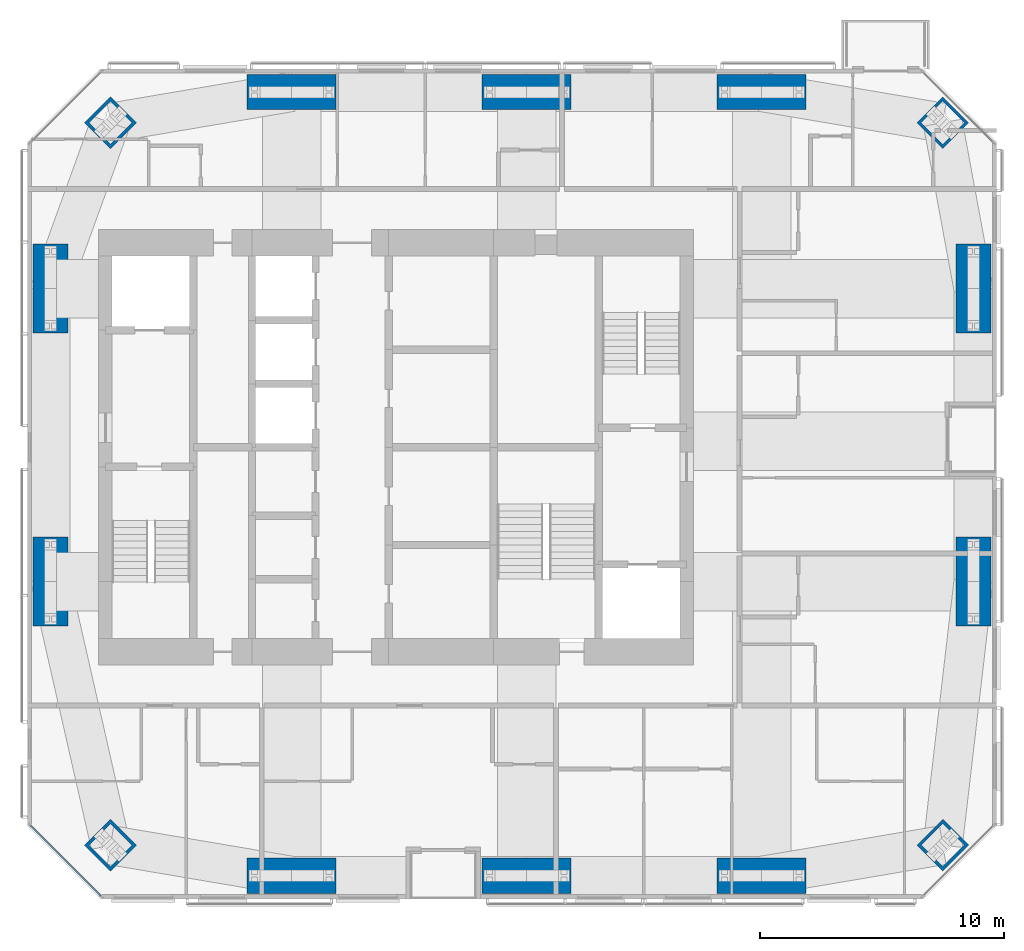
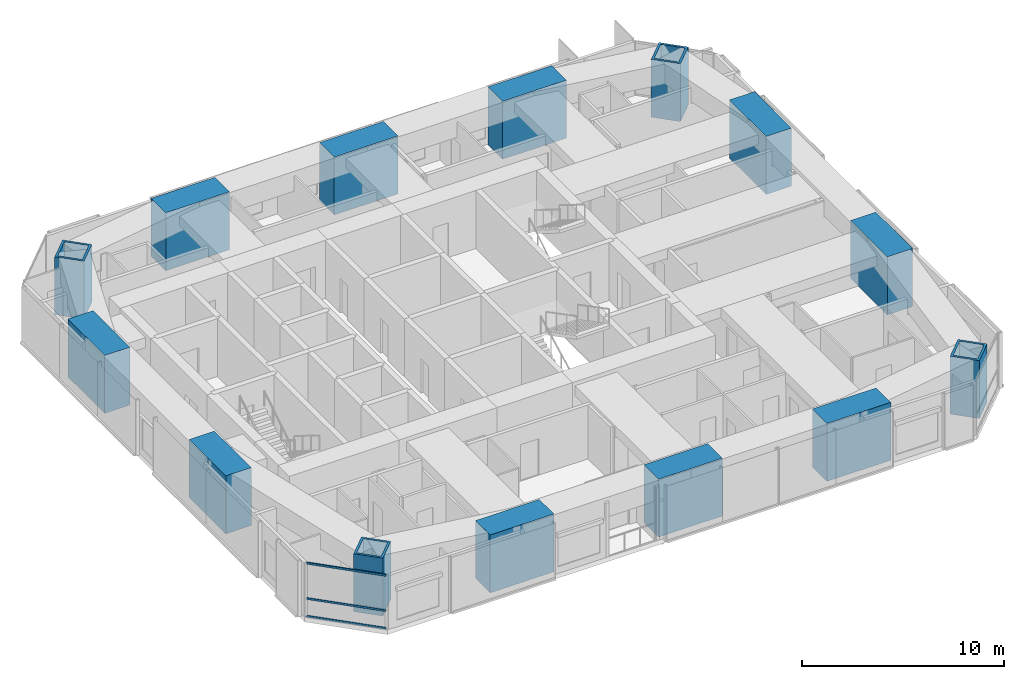
# One storey, part 1 of 19: 14 columns, 3 members, 1 element without a shape of its own.
"""IFC4 building model written with IfcOpenShell, lengths in metres."""

from ifc_helpers import new_model, si_unit, direction, frame, origin, origin_2d, place, context, subcontext, project, spatial, rectangle, hollow_rectangle, extrude, material, material_profile, profile_set, type_object, element, aggregate, save


model = new_model("IFC4")

# Units and contexts
model_context = context("Model", 3, precision=1e-05, world=origin(), true_north=direction((0.0, 1.0)))
body_context = subcontext(model_context, "Body", "Model", "MODEL_VIEW")
ifc_project = project(units=[si_unit("LENGTHUNIT", "METRE"), si_unit("AREAUNIT", "SQUARE_METRE"), si_unit("VOLUMEUNIT", "CUBIC_METRE"), si_unit("PLANEANGLEUNIT", "RADIAN"), si_unit("MASSUNIT", "GRAM", prefix="KILO")], contexts=[model_context])

# Site, building, storey
site_placement = place(None, origin())
site = spatial("IfcSite", under=ifc_project, at=site_placement, CompositionType="ELEMENT")
building_placement = place(site_placement, origin())
building = spatial("IfcBuilding", under=site, at=building_placement, Name="Jalousie Tower", CompositionType="ELEMENT")
storey_placement = place(building_placement, frame((0.0, 0.0, 217.949951171875)))
storey = spatial("IfcBuildingStorey", under=building, at=storey_placement, Name="L59", CompositionType="ELEMENT", Elevation=217.949951171875)

# Columns
ifc_material_1 = material(Name="Steel EN 10025-2 S355J2 plate", Category="steel")
ifc_material_profile_1 = material_profile(ifc_material_1, hollow_rectangle(XDim=1.5, YDim=1.5, WallThickness=0.125, at=origin_2d()), Name="BOX 1500x1500x125")
ifc_profile_set_1 = profile_set([ifc_material_profile_1], Name="Steel EN 10025-2 S355J2 plate")
column_type_1 = type_object("IfcColumnType", Name="BUILT-UP BOX CORNER COLUMN BOX 1500x1500x125", PredefinedType="COLUMN", material=ifc_profile_set_1)
for number, where, z_axis, x_axis, name in (
    (1, (20.20703125, 2.20703125, 0.0), (0.0, 0.0, 1.0), (0.707106781187, 0.707106781187, 0.0), "Corner column 01 L59"),
    (2, (54.29296875, 2.20703125, 0.0), (0.0, 0.0, 1.0), (-0.707106781187, 0.707106781187, 0.0), "Corner column 05 L59"),
    (3, (54.29296875, 31.79296875, 0.0), (0.0, 0.0, 1.0), (-0.707106781187, -0.707106781187, 0.0), "Corner column 08 L59"),
    (4, (20.20703125, 31.79296875, 0.0), (0.0, 0.0, 1.0), (0.707106781187, -0.707106781187, 0.0), "Corner column 12 L59"),
):
    element("IfcColumn", number, at=place(storey_placement, frame(where, z_axis=z_axis, x_axis=x_axis)), inside=storey, type_object=column_type_1, Name=name, PredefinedType="COLUMN", context=body_context, shape_type="SweptSolid", body=[
        extrude(hollow_rectangle(XDim=1.5, YDim=1.5, WallThickness=0.125, at=origin_2d()), origin(), (0.0, 0.0, 1.0), 3.5),
    ])
ifc_material_2 = material(Name="Concrete f'c 120 MPa", Category="concrete")
ifc_material_profile_2 = material_profile(ifc_material_2, rectangle(XDim=1.449951171875, YDim=3.64990234375, at=origin_2d()), Name="RC 1450x3650")
ifc_profile_set_2 = profile_set([ifc_material_profile_2], Name="Concrete f'c 120 MPa")
column_type_2 = type_object("IfcColumnType", Name="RC COLUMN 1450x3650", PredefinedType="COLUMN", material=ifc_profile_set_2)
for number, where, z_axis, x_axis, name in (
    (5, (27.625, 0.949951171875, 0.0), (0.0, 0.0, 1.0), (0.0, 1.0, 0.0), "Column 02 L59"),
    (6, (37.25, 0.949951171875, 0.0), (0.0, 0.0, 1.0), (0.0, 1.0, 0.0), "Column 03 L59"),
    (7, (46.875, 0.949951171875, 0.0), (0.0, 0.0, 1.0), (0.0, 1.0, 0.0), "Column 04 L59"),
    (8, (55.550048828125, 13.0, 0.0), (0.0, 0.0, 1.0), (1.0, 0.0, 0.0), "Column 06 L59"),
    (9, (55.550048828125, 25.0, 0.0), (0.0, 0.0, 1.0), (1.0, 0.0, 0.0), "Column 07 L59"),
    (10, (46.875, 33.050048828125, 0.0), (0.0, 0.0, 1.0), (0.0, 1.0, 0.0), "Column 09 L59"),
    (11, (37.25, 33.050048828125, 0.0), (0.0, 0.0, 1.0), (0.0, 1.0, 0.0), "Column 10 L59"),
    (12, (27.625, 33.050048828125, 0.0), (0.0, 0.0, 1.0), (0.0, 1.0, 0.0), "Column 11 L59"),
    (13, (17.75, 25.0, 0.0), (0.0, 0.0, 1.0), (1.0, 0.0, 0.0), "Column 13 L59"),
    (14, (17.75, 13.0, 0.0), (0.0, 0.0, 1.0), (1.0, 0.0, 0.0), "Column 14 L59"),
):
    element("IfcColumn", number, at=place(storey_placement, frame(where, z_axis=z_axis, x_axis=x_axis)), inside=storey, type_object=column_type_2, Name=name, PredefinedType="COLUMN", context=body_context, shape_type="SweptSolid", body=[
        extrude(rectangle(XDim=1.449951171875, YDim=3.64990234375, at=origin_2d()), origin(), (0.0, 0.0, 1.0), 3.5),
    ])

# Curtain wall, members
ifc_material_3 = material(Name="Aluminium curtain wall", Category="aluminium")
curtain_wall_type = type_object("IfcCurtainWallType", Name="CORNER WINDOW WALL", PredefinedType="USERDEFINED", material=ifc_material_3)
curtain_wall_placement = place(storey_placement, origin())
curtain_wall = element("IfcCurtainWall", 15, at=curtain_wall_placement, inside=storey, type_object=curtain_wall_type, Name="Corner Window Wall L59 8", ObjectType="CORNER WINDOW WALL", PredefinedType="USERDEFINED")
ifc_material_4 = material(Name="Aluminium transom", Category="aluminium")
ifc_material_profile_3 = material_profile(ifc_material_4, rectangle(XDim=0.06005859375, YDim=0.1201171875, at=origin_2d()), Name="TRANSOM 60x120")
ifc_profile_set_3 = profile_set([ifc_material_profile_3], Name="Aluminium transom")
member_type = type_object("IfcMemberType", Name="CORNER WINDOW WALL TRANSOM", PredefinedType="USERDEFINED", material=ifc_profile_set_3)
member_1_placement = place(storey_placement, frame((16.929931640625, 3.0087890625, 0.030029296875), z_axis=(0.707106781187, -0.707106781187, 0.0), x_axis=(0.707106781187, 0.707106781187, 0.0)))
member_1 = element("IfcMember", 16, at=member_1_placement, type_object=member_type, Name="CW-C transom 1.1", ObjectType="TRANSOM", PredefinedType="USERDEFINED", context=body_context, shape_type="SweptSolid", body=[
    extrude(rectangle(XDim=0.06005859375, YDim=0.1201171875, at=origin_2d()), origin(), (0.0, 0.0, 1.0), 4.0712890625),
])
member_2_placement = place(storey_placement, frame((16.929931640625, 3.0087890625, 1.10009765625), z_axis=(0.707106781187, -0.707106781187, 0.0), x_axis=(0.707106781187, 0.707106781187, 0.0)))
member_2 = element("IfcMember", 17, at=member_2_placement, type_object=member_type, Name="CW-C transom 1.2", ObjectType="TRANSOM", PredefinedType="USERDEFINED", context=body_context, shape_type="SweptSolid", body=[
    extrude(rectangle(XDim=0.06005859375, YDim=0.1201171875, at=origin_2d()), origin(), (0.0, 0.0, 1.0), 4.0712890625),
])
member_3_placement = place(storey_placement, frame((16.929931640625, 3.0087890625, 3.22998046875), z_axis=(0.707106781187, -0.707106781187, 0.0), x_axis=(0.707106781187, 0.707106781187, 0.0)))
member_3 = element("IfcMember", 18, at=member_3_placement, type_object=member_type, Name="CW-C transom 1.3", ObjectType="TRANSOM", PredefinedType="USERDEFINED", context=body_context, shape_type="SweptSolid", body=[
    extrude(rectangle(XDim=0.06005859375, YDim=0.1201171875, at=origin_2d()), origin(), (0.0, 0.0, 1.0), 4.0712890625),
])
aggregate(curtain_wall, [member_1, member_2, member_3])

save(model, "model.ifc")
